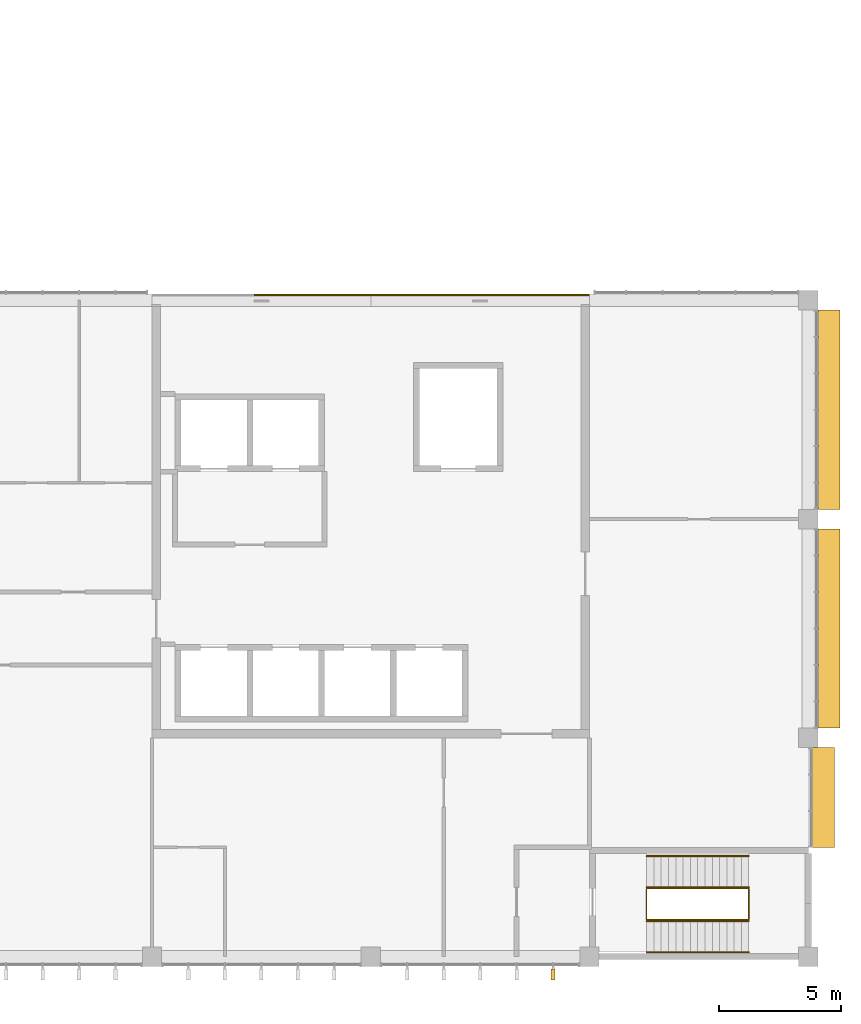
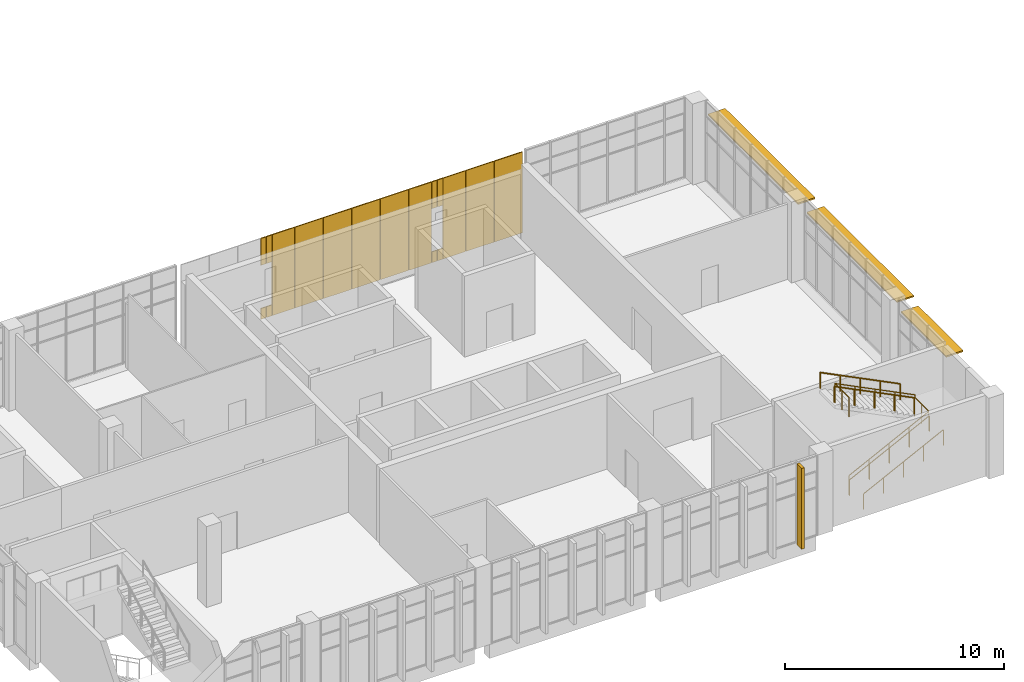
# One storey, part 43 of 43: 17 coverings, 5 railings, 4 shading devices.
"""IFC4 building model written with IfcOpenShell, lengths in metres."""

import ifcopenshell
import ifcopenshell.guid

model = None  # the IFC model being written
_history = None  # IfcOwnerHistory: only IFC2X3 demands one
_inside = {}  # id of a spatial element -> (the spatial element, [elements in it])
_under = {}  # id of a project, library or spatial element -> (it, [spatial elements below it])
_declared = {}  # id of a project -> (the project, [libraries it declares])
_typed = {}  # id of a type object -> (the type object, [elements of that type])
_made_of = {}  # id of a material, layer set ... -> (it, [elements and type objects made of it])


def new_model(schema):
    """Start an empty IFC model of exactly this schema.

    Asked for "IFC4X3", IfcOpenShell would pick the latest addendum, in which some entities
    have other attributes; the version numbers below select the first issue.
    IFC2X3 requires an IfcOwnerHistory on every rooted entity: one is made here for all.
    """
    global model, _history
    if schema == "IFC4X3":
        model = ifcopenshell.file(schema_version=(4, 3, 0, 0))
    else:
        model = ifcopenshell.file(schema=schema)
    _inside.clear()
    _under.clear()
    _declared.clear()
    _typed.clear()
    _made_of.clear()
    _history = None
    if model.schema == "IFC2X3":
        org = make("IfcOrganization", Name="unknown")
        user = make(
            "IfcPersonAndOrganization",
            ThePerson=make("IfcPerson", FamilyName="unknown"),
            TheOrganization=org,
        )
        app = make(
            "IfcApplication",
            ApplicationDeveloper=org,
            Version="unknown",
            ApplicationFullName="unknown",
            ApplicationIdentifier="unknown",
        )
        _history = make(
            "IfcOwnerHistory",
            OwningUser=user,
            OwningApplication=app,
            ChangeAction="ADDED",
            CreationDate=0,
        )
    return model


def make(cls, **values):
    """One entity of the class cls with the attributes given. An attribute that is None is left unset."""
    return model.create_entity(
        cls, **{name: value for name, value in values.items() if value is not None}
    )


def rooted(cls, **values):
    """An entity with a GlobalId (a new one), such as an element, a storey or a relation."""
    return make(cls, GlobalId=ifcopenshell.guid.new(), OwnerHistory=_history, **values)


def si_unit(unit_type, name, prefix=None):
    """IfcSIUnit, for example si_unit("LENGTHUNIT", "METRE", prefix="MILLI")."""
    return make("IfcSIUnit", UnitType=unit_type, Prefix=prefix, Name=name)


def assignment(units):
    """IfcUnitAssignment: the units of a project."""
    return None if units is None else make("IfcUnitAssignment", Units=units)


def point(xyz):
    """IfcCartesianPoint."""
    return None if xyz is None else make("IfcCartesianPoint", Coordinates=xyz)


def direction(xyz):
    """IfcDirection."""
    return None if xyz is None else make("IfcDirection", DirectionRatios=xyz)


def frame(location, z_axis=None, x_axis=None):
    """IfcAxis2Placement3D, a coordinate frame: its origin and axes. An axis left out is left unset."""
    return make(
        "IfcAxis2Placement3D",
        Location=point(location),
        Axis=direction(z_axis),
        RefDirection=direction(x_axis),
    )


def frame_2d(location, x_axis=None):
    """IfcAxis2Placement2D, a coordinate frame in the plane: its origin and x axis."""
    return make(
        "IfcAxis2Placement2D", Location=point(location), RefDirection=direction(x_axis)
    )


def origin():
    """The frame at (0, 0, 0) with its axes left unset."""
    return frame((0.0, 0.0, 0.0))


def origin_2d():
    """The frame at (0, 0) in the plane with its x axis left unset."""
    return frame_2d((0.0, 0.0))


def place(relative_to, where):
    """IfcLocalPlacement: puts the frame where relative to a parent placement (None: the world)."""
    return make(
        "IfcLocalPlacement", PlacementRelTo=relative_to, RelativePlacement=where
    )


def context(
    kind, dimensions, precision=None, world=None, true_north=None, identifier=None
):
    """IfcGeometricRepresentationContext, for example the 3D "Model" context."""
    return make(
        "IfcGeometricRepresentationContext",
        ContextIdentifier=identifier,
        ContextType=kind,
        CoordinateSpaceDimension=dimensions,
        Precision=precision,
        WorldCoordinateSystem=world,
        TrueNorth=true_north,
    )


def subcontext(parent, identifier, kind, view, scale=None):
    """IfcGeometricRepresentationSubContext, for example "Body" below "Model"."""
    return make(
        "IfcGeometricRepresentationSubContext",
        ContextIdentifier=identifier,
        ContextType=kind,
        ParentContext=parent,
        TargetScale=scale,
        TargetView=view,
    )


def project(units=None, contexts=None):
    """IfcProject with its units and contexts."""
    return rooted(
        "IfcProject",
        Name="project",
        RepresentationContexts=contexts,
        UnitsInContext=assignment(units),
    )


def spatial(cls, under=None, at=None, **own):
    """A site, building, storey or space (cls), placed at a placement, below another one or the project."""
    s = rooted(cls, ObjectPlacement=at, **own)
    if under is not None:
        _under.setdefault(under.id(), (under, []))[1].append(s)
    return s


def profile(cls, at=None, kind="AREA", **sizes):
    """A parametric profile (cls). Its sizes go by their IFC names, for example OverallWidth=200.0."""
    return make(cls, ProfileType=kind, Position=at, **sizes)


def rectangle(**sizes):
    """IfcRectangleProfileDef."""
    return profile("IfcRectangleProfileDef", **sizes)


def circle(**sizes):
    """IfcCircleProfileDef."""
    return profile("IfcCircleProfileDef", **sizes)


def extrude(swept, where, along, depth):
    """IfcExtrudedAreaSolid: the profile swept, set in the frame where, extruded along a direction by depth."""
    return make(
        "IfcExtrudedAreaSolid",
        SweptArea=swept,
        Position=where,
        ExtrudedDirection=direction(along),
        Depth=depth,
    )


def shape(context_of_items, identifier, shape_type, items):
    """IfcShapeRepresentation: the items that make up one representation, for example the "Body"."""
    return make(
        "IfcShapeRepresentation",
        ContextOfItems=context_of_items,
        RepresentationIdentifier=identifier,
        RepresentationType=shape_type,
        Items=items,
    )


def material(Name=None, Category=None):
    """IfcMaterial."""
    return make("IfcMaterial", Name=Name, Category=Category)


def layer(
    of_material, thickness, ventilated=None, Name=None, Category=None, Priority=None
):
    """IfcMaterialLayer: one layer of a wall or slab, of a material (None: an air gap)."""
    return make(
        "IfcMaterialLayer",
        Material=of_material,
        LayerThickness=thickness,
        IsVentilated=ventilated,
        Name=Name,
        Category=Category,
        Priority=Priority,
    )


def layer_set(layers, Name=None):
    """IfcMaterialLayerSet."""
    return make("IfcMaterialLayerSet", MaterialLayers=layers, LayerSetName=Name)


def made_of(thing, what):
    """Note that an element or type object is made of a material, layer set ...; save() writes the relation."""
    if what is not None:
        _made_of.setdefault(what.id(), (what, []))[1].append(thing)
    return thing


def type_object(cls, material=None, **own):
    """A type object (cls), such as IfcWallType, which elements share."""
    return made_of(rooted(cls, **own), material)


def element(
    cls,
    number,
    at=None,
    inside=None,
    cuts=None,
    type_object=None,
    material=None,
    context=None,
    identifier="Body",
    shape_type=None,
    held_by="IfcProductDefinitionShape",
    body=None,
    shapes=None,
    **own,
):
    """One element of the class cls, such as IfcWall. Its Tag is "e" and its number.

    at: its placement. inside: the storey or other place that contains it. cuts: it is an
    opening in that element (IfcRelVoidsElement). A single representation is given by context,
    identifier, shape_type and body (its items); several are given by shapes. held_by: the class
    of the entity that holds the representations. save() writes the other relations.
    """
    e = rooted(cls, Tag="e%d" % number, ObjectPlacement=at, **own)
    if body is not None:
        shapes = [shape(context, identifier, shape_type, body)]
    if shapes is not None:
        e.Representation = make(held_by, Representations=shapes)
    if inside is not None:
        _inside.setdefault(inside.id(), (inside, []))[1].append(e)
    if cuts is not None:
        rooted(
            "IfcRelVoidsElement", RelatingBuildingElement=cuts, RelatedOpeningElement=e
        )
    if type_object is not None:
        _typed.setdefault(type_object.id(), (type_object, []))[1].append(e)
    return made_of(e, material)


def aggregate(whole, parts):
    """IfcRelAggregates: a whole, such as a stair, and the parts it consists of."""
    return rooted("IfcRelAggregates", RelatingObject=whole, RelatedObjects=parts)


def save(model, path):
    """Write the relations noted so far, then the file.

    IfcRelAggregates (storeys below a building ...), IfcRelContainedInSpatialStructure (elements
    in a storey), IfcRelDefinesByType, IfcRelAssociatesMaterial and IfcRelDeclares: one each for
    every whole, place, type object, material and project.
    """
    for whole, parts in _under.values():
        aggregate(whole, parts)
    for where, things in _inside.values():
        rooted(
            "IfcRelContainedInSpatialStructure",
            RelatedElements=things,
            RelatingStructure=where,
        )
    for kind, things in _typed.values():
        rooted("IfcRelDefinesByType", RelatedObjects=things, RelatingType=kind)
    for what, things in _made_of.values():
        rooted("IfcRelAssociatesMaterial", RelatedObjects=things, RelatingMaterial=what)
    for by, libraries in _declared.values():
        rooted("IfcRelDeclares", RelatingContext=by, RelatedDefinitions=libraries)
    model.write(path)


model = new_model("IFC4")

# Units and contexts
model_context = context("Model", 3, precision=1e-05, world=origin(), true_north=direction((0.0, 1.0)))
body_context = subcontext(model_context, "Body", "Model", "MODEL_VIEW")
ifc_project = project(units=[si_unit("LENGTHUNIT", "METRE"), si_unit("AREAUNIT", "SQUARE_METRE"), si_unit("VOLUMEUNIT", "CUBIC_METRE"), si_unit("PLANEANGLEUNIT", "RADIAN"), si_unit("MASSUNIT", "GRAM", prefix="KILO")], contexts=[model_context])

# Site, building, storey
site_placement = place(None, origin())
site = spatial("IfcSite", under=ifc_project, at=site_placement, CompositionType="ELEMENT")
building_placement = place(site_placement, origin())
building = spatial("IfcBuilding", under=site, at=building_placement, Name="Guidao Yard Department Store", CompositionType="ELEMENT")
storey_placement = place(building_placement, frame((0.0, 0.0, 28.5)))
storey = spatial("IfcBuildingStorey", under=building, at=storey_placement, Name="L06", CompositionType="ELEMENT", Elevation=28.5)

# Coverings
ifc_material_1 = material(Name="Anodised aluminium 6063-T5 cladding", Category="aluminium")
ifc_layer_1 = layer(ifc_material_1, 0.050048828125)
ifc_layer_set_1 = layer_set([ifc_layer_1], Name="Facade cladding CP1 anodised aluminium panel 6063")
covering_type = type_object("IfcCoveringType", Name="Facade cladding CP1 anodised aluminium panel 6063", PredefinedType="CLADDING", material=ifc_layer_set_1)
covering_1_placement = place(storey_placement, frame((148.35009765625, 27.22509765625, 0.0), z_axis=(0.0, 0.0, 1.0), x_axis=(1.0, 0.0, 0.0)))
element("IfcCovering", 1, at=covering_1_placement, inside=storey, type_object=covering_type, Name="Core face cladding", PredefinedType="CLADDING", context=body_context, shape_type="SweptSolid", body=[
    extrude(rectangle(XDim=0.280029296875, YDim=0.050048828125, at=origin_2d()), origin(), (0.0, 0.0, 1.0), 0.60009765625),
])
covering_2_placement = place(storey_placement, frame((148.35009765625, 27.22509765625, 3.0), z_axis=(0.0, 0.0, 1.0), x_axis=(1.0, 0.0, 0.0)))
element("IfcCovering", 2, at=covering_2_placement, inside=storey, type_object=covering_type, Name="Core face cladding", PredefinedType="CLADDING", context=body_context, shape_type="SweptSolid", body=[
    extrude(rectangle(XDim=0.280029296875, YDim=0.050048828125, at=origin_2d()), origin(), (0.0, 0.0, 1.0), 1.5),
])
covering_3_placement = place(storey_placement, frame((148.64990234375, 27.22509765625, 0.0), z_axis=(0.0, 0.0, 1.0), x_axis=(1.0, 0.0, 0.0)))
element("IfcCovering", 3, at=covering_3_placement, inside=storey, type_object=covering_type, Name="Core face cladding", PredefinedType="CLADDING", context=body_context, shape_type="SweptSolid", body=[
    extrude(rectangle(XDim=0.280029296875, YDim=0.050048828125, at=origin_2d()), origin(), (0.0, 0.0, 1.0), 0.60009765625),
])
covering_4_placement = place(storey_placement, frame((148.64990234375, 27.22509765625, 3.0), z_axis=(0.0, 0.0, 1.0), x_axis=(1.0, 0.0, 0.0)))
element("IfcCovering", 4, at=covering_4_placement, inside=storey, type_object=covering_type, Name="Core face cladding", PredefinedType="CLADDING", context=body_context, shape_type="SweptSolid", body=[
    extrude(rectangle(XDim=0.280029296875, YDim=0.050048828125, at=origin_2d()), origin(), (0.0, 0.0, 1.0), 1.5),
])
covering_5_placement = place(storey_placement, frame((149.39990234375, 27.22509765625, 0.0), z_axis=(0.0, 0.0, 1.0), x_axis=(1.0, 0.0, 0.0)))
element("IfcCovering", 5, at=covering_5_placement, inside=storey, type_object=covering_type, Name="Core face cladding", PredefinedType="CLADDING", context=body_context, shape_type="SweptSolid", body=[
    extrude(rectangle(XDim=1.179931640625, YDim=0.050048828125, at=origin_2d()), origin(), (0.0, 0.0, 1.0), 4.5),
])
for number, where, z_axis, x_axis, name in (
    (6, (150.75, 27.22509765625, 0.0), (0.0, 0.0, 1.0), (1.0, 0.0, 0.0), "Core face cladding"),
    (7, (152.25, 27.22509765625, 0.0), (0.0, 0.0, 1.0), (1.0, 0.0, 0.0), "Core face cladding"),
    (8, (153.75, 27.22509765625, 0.0), (0.0, 0.0, 1.0), (1.0, 0.0, 0.0), "Core face cladding"),
    (9, (155.25, 27.22509765625, 0.0), (0.0, 0.0, 1.0), (1.0, 0.0, 0.0), "Core face cladding"),
):
    element("IfcCovering", number, at=place(storey_placement, frame(where, z_axis=z_axis, x_axis=x_axis)), inside=storey, type_object=covering_type, Name=name, PredefinedType="CLADDING", context=body_context, shape_type="SweptSolid", body=[
        extrude(rectangle(XDim=1.47998046875, YDim=0.050048828125, at=origin_2d()), origin(), (0.0, 0.0, 1.0), 4.5),
    ])
covering_6_placement = place(storey_placement, frame((156.60009765625, 27.22509765625, 0.0), z_axis=(0.0, 0.0, 1.0), x_axis=(1.0, 0.0, 0.0)))
element("IfcCovering", 10, at=covering_6_placement, inside=storey, type_object=covering_type, Name="Core face cladding", PredefinedType="CLADDING", context=body_context, shape_type="SweptSolid", body=[
    extrude(rectangle(XDim=1.179931640625, YDim=0.050048828125, at=origin_2d()), origin(), (0.0, 0.0, 1.0), 4.5),
])
covering_7_placement = place(storey_placement, frame((157.35009765625, 27.22509765625, 0.0), z_axis=(0.0, 0.0, 1.0), x_axis=(1.0, 0.0, 0.0)))
element("IfcCovering", 11, at=covering_7_placement, inside=storey, type_object=covering_type, Name="Core face cladding", PredefinedType="CLADDING", context=body_context, shape_type="SweptSolid", body=[
    extrude(rectangle(XDim=0.280029296875, YDim=0.050048828125, at=origin_2d()), origin(), (0.0, 0.0, 1.0), 0.60009765625),
])
covering_8_placement = place(storey_placement, frame((157.35009765625, 27.22509765625, 3.0), z_axis=(0.0, 0.0, 1.0), x_axis=(1.0, 0.0, 0.0)))
element("IfcCovering", 12, at=covering_8_placement, inside=storey, type_object=covering_type, Name="Core face cladding", PredefinedType="CLADDING", context=body_context, shape_type="SweptSolid", body=[
    extrude(rectangle(XDim=0.280029296875, YDim=0.050048828125, at=origin_2d()), origin(), (0.0, 0.0, 1.0), 1.5),
])
covering_9_placement = place(storey_placement, frame((157.64990234375, 27.22509765625, 0.0), z_axis=(0.0, 0.0, 1.0), x_axis=(1.0, 0.0, 0.0)))
element("IfcCovering", 13, at=covering_9_placement, inside=storey, type_object=covering_type, Name="Core face cladding", PredefinedType="CLADDING", context=body_context, shape_type="SweptSolid", body=[
    extrude(rectangle(XDim=0.280029296875, YDim=0.050048828125, at=origin_2d()), origin(), (0.0, 0.0, 1.0), 0.60009765625),
])
covering_10_placement = place(storey_placement, frame((157.64990234375, 27.22509765625, 3.0), z_axis=(0.0, 0.0, 1.0), x_axis=(1.0, 0.0, 0.0)))
element("IfcCovering", 14, at=covering_10_placement, inside=storey, type_object=covering_type, Name="Core face cladding", PredefinedType="CLADDING", context=body_context, shape_type="SweptSolid", body=[
    extrude(rectangle(XDim=0.280029296875, YDim=0.050048828125, at=origin_2d()), origin(), (0.0, 0.0, 1.0), 1.5),
])
covering_11_placement = place(storey_placement, frame((158.39990234375, 27.22509765625, 0.0), z_axis=(0.0, 0.0, 1.0), x_axis=(1.0, 0.0, 0.0)))
element("IfcCovering", 15, at=covering_11_placement, inside=storey, type_object=covering_type, Name="Core face cladding", PredefinedType="CLADDING", context=body_context, shape_type="SweptSolid", body=[
    extrude(rectangle(XDim=1.179931640625, YDim=0.050048828125, at=origin_2d()), origin(), (0.0, 0.0, 1.0), 4.5),
])
for number, where, z_axis, x_axis, name in (
    (16, (159.75, 27.22509765625, 0.0), (0.0, 0.0, 1.0), (1.0, 0.0, 0.0), "Core face cladding"),
    (17, (161.25, 27.22509765625, 0.0), (0.0, 0.0, 1.0), (1.0, 0.0, 0.0), "Core face cladding"),
):
    element("IfcCovering", number, at=place(storey_placement, frame(where, z_axis=z_axis, x_axis=x_axis)), inside=storey, type_object=covering_type, Name=name, PredefinedType="CLADDING", context=body_context, shape_type="SweptSolid", body=[
        extrude(rectangle(XDim=1.47998046875, YDim=0.050048828125, at=origin_2d()), origin(), (0.0, 0.0, 1.0), 4.5),
    ])

# Railings
ifc_material_2 = material(Name="Steel Q235", Category="steel")
railing_type_1 = type_object("IfcRailingType", Name="Guard steel balustrade 1100", PredefinedType="GUARDRAIL", material=ifc_material_2)
railing_placement = place(storey_placement, frame((164.35009765625, 1.52490234375, 0.14990234375)))
element("IfcRailing", 18, at=railing_placement, inside=storey, type_object=railing_type_1, Name="Stair O2 guard L06 2", PredefinedType="GUARDRAIL", context=body_context, shape_type="SweptSolid", body=[
    extrude(circle(Radius=0.02392578125, at=origin_2d()), frame((0.0, 0.0, 1.076171875), z_axis=(0.894416792377, 0.0, 0.447234392142), x_axis=(0.0, 1.0, 0.0)), (0.0, 0.0, 1.0), 4.69580078125),
    extrude(circle(Radius=0.02392578125, at=origin_2d()), frame((4.199951171875, 0.0, 3.17626953125), z_axis=(0.0, 1.0, 0.0), x_axis=(-1.0, 0.0, 0.0)), (0.0, 0.0, 1.0), 1.275146484375),
    extrude(circle(Radius=0.02392578125, at=origin_2d()), frame((4.199951171875, 1.275146484375, 3.17626953125), z_axis=(0.0, 0.0, 1.0), x_axis=(1.0, 0.0, 0.0)), (0.0, 0.0, 1.0), 0.14990234375),
    extrude(circle(Radius=0.02392578125, at=origin_2d()), frame((4.199951171875, 1.275146484375, 3.326171875), z_axis=(-0.894416792377, 0.0, 0.447234392142), x_axis=(0.0, -1.0, 0.0)), (0.0, 0.0, 1.0), 4.69580078125),
    extrude(circle(Radius=0.02392578125, at=origin_2d()), frame((0.0, 1.275146484375, 5.42626953125), z_axis=(0.0, -1.0, 0.0), x_axis=(1.0, 0.0, 0.0)), (0.0, 0.0, 1.0), 1.275146484375),
    extrude(circle(Radius=0.02099609375, at=origin_2d()), origin(), (0.0, 0.0, 1.0), 1.052001953125),
    extrude(circle(Radius=0.02099609375, at=origin_2d()), frame((1.050048828125, 0.0, 0.52490234375)), (0.0, 0.0, 1.0), 1.052001953125),
    extrude(circle(Radius=0.02099609375, at=origin_2d()), frame((2.10009765625, 0.0, 1.050048828125)), (0.0, 0.0, 1.0), 1.052001953125),
    extrude(circle(Radius=0.02099609375, at=origin_2d()), frame((3.14990234375, 0.0, 1.5751953125)), (0.0, 0.0, 1.0), 1.052001953125),
    extrude(circle(Radius=0.02099609375, at=origin_2d()), frame((4.199951171875, 0.0, 2.10009765625)), (0.0, 0.0, 1.0), 1.052001953125),
    extrude(circle(Radius=0.02099609375, at=origin_2d()), frame((4.199951171875, 0.6376953125, 2.10009765625)), (0.0, 0.0, 1.0), 1.052001953125),
    extrude(circle(Radius=0.02099609375, at=origin_2d()), frame((4.199951171875, 1.275146484375, 2.10009765625)), (0.0, 0.0, 1.0), 1.052001953125),
    extrude(circle(Radius=0.02099609375, at=origin_2d()), frame((4.199951171875, 1.275146484375, 2.25)), (0.0, 0.0, 1.0), 1.052001953125),
    extrude(circle(Radius=0.02099609375, at=origin_2d()), frame((3.14990234375, 1.275146484375, 2.77490234375)), (0.0, 0.0, 1.0), 1.052001953125),
    extrude(circle(Radius=0.02099609375, at=origin_2d()), frame((2.10009765625, 1.275146484375, 3.300048828125)), (0.0, 0.0, 1.0), 1.052001953125),
    extrude(circle(Radius=0.02099609375, at=origin_2d()), frame((1.050048828125, 1.275146484375, 3.8251953125)), (0.0, 0.0, 1.0), 1.052001953125),
    extrude(circle(Radius=0.02099609375, at=origin_2d()), frame((0.0, 1.275146484375, 4.35009765625)), (0.0, 0.0, 1.0), 1.052001953125),
    extrude(circle(Radius=0.02099609375, at=origin_2d()), frame((0.0, 0.6376953125, 4.35009765625)), (0.0, 0.0, 1.0), 1.052001953125),
    extrude(circle(Radius=0.02099609375, at=origin_2d()), frame((0.0, 0.0, 4.35009765625)), (0.0, 0.0, 1.0), 1.052001953125),
])
ifc_material_3 = material(Name="Steel Q235", Category="steel")
railing_type_2 = type_object("IfcRailingType", Name="Handrail steel tube 48", PredefinedType="HANDRAIL", material=ifc_material_3)
for number, where, name in (
    (19, (164.35009765625, 0.18505859375, 0.14990234375), "Stair O2 hand rail L06 5"),
    (20, (164.35009765625, 1.465087890625, 0.14990234375), "Stair O2 hand rail L06 6"),
):
    element("IfcRailing", number, at=place(storey_placement, frame(where)), inside=storey, type_object=railing_type_2, Name=name, PredefinedType="HANDRAIL", context=body_context, shape_type="SweptSolid", body=[
        extrude(circle(Radius=0.02392578125, at=origin_2d()), frame((0.0, 0.0, 0.8759765625), z_axis=(0.894416792377, 0.0, 0.447234392142), x_axis=(0.0, 1.0, 0.0)), (0.0, 0.0, 1.0), 4.69580078125),
        extrude(circle(Radius=0.02099609375, at=origin_2d()), origin(), (0.0, 0.0, 1.0), 0.851806640625),
        extrude(circle(Radius=0.02099609375, at=origin_2d()), frame((1.050048828125, 0.0, 0.52490234375)), (0.0, 0.0, 1.0), 0.851806640625),
        extrude(circle(Radius=0.02099609375, at=origin_2d()), frame((2.10009765625, 0.0, 1.050048828125)), (0.0, 0.0, 1.0), 0.851806640625),
        extrude(circle(Radius=0.02099609375, at=origin_2d()), frame((3.14990234375, 0.0, 1.5751953125)), (0.0, 0.0, 1.0), 0.851806640625),
        extrude(circle(Radius=0.02099609375, at=origin_2d()), frame((4.199951171875, 0.0, 2.10009765625)), (0.0, 0.0, 1.0), 0.851806640625),
    ])
for number, where, name in (
    (21, (168.550048828125, 2.860107421875, 2.39990234375), "Stair O2 hand rail L06 7"),
    (22, (168.550048828125, 4.139892578125, 2.39990234375), "Stair O2 hand rail L06 8"),
):
    element("IfcRailing", number, at=place(storey_placement, frame(where)), inside=storey, type_object=railing_type_2, Name=name, PredefinedType="HANDRAIL", context=body_context, shape_type="SweptSolid", body=[
        extrude(circle(Radius=0.02392578125, at=origin_2d()), frame((0.0, 0.0, 0.8759765625), z_axis=(-0.894416792377, 0.0, 0.447234392142), x_axis=(0.0, -1.0, 0.0)), (0.0, 0.0, 1.0), 4.69580078125),
        extrude(circle(Radius=0.02099609375, at=origin_2d()), origin(), (0.0, 0.0, 1.0), 0.851806640625),
        extrude(circle(Radius=0.02099609375, at=origin_2d()), frame((-1.050048828125, 0.0, 0.52490234375)), (0.0, 0.0, 1.0), 0.851806640625),
        extrude(circle(Radius=0.02099609375, at=origin_2d()), frame((-2.10009765625, 0.0, 1.050048828125)), (0.0, 0.0, 1.0), 0.851806640625),
        extrude(circle(Radius=0.02099609375, at=origin_2d()), frame((-3.14990234375, 0.0, 1.5751953125)), (0.0, 0.0, 1.0), 0.851806640625),
        extrude(circle(Radius=0.02099609375, at=origin_2d()), frame((-4.199951171875, 0.0, 2.10009765625)), (0.0, 0.0, 1.0), 0.851806640625),
    ])

# Shading devices
ifc_material_4 = material(Name="Aluminium 6063-T5", Category="aluminium")
ifc_layer_2 = layer(ifc_material_4, 0.080078125)
ifc_layer_set_2 = layer_set([ifc_layer_2], Name="Sunshade blade SB1 aluminium")
shading_device_type_1 = type_object("IfcShadingDeviceType", Name="Sunshade blade SB1 aluminium", PredefinedType="SHUTTER", material=ifc_layer_set_2)
shading_device_1_placement = place(storey_placement, frame((171.6298828125, 6.550048828125, 3.599853515625), z_axis=(0.0, 0.0, 1.0), x_axis=(0.0, -1.0, 0.0)))
element("IfcShadingDevice", 23, at=shading_device_1_placement, inside=storey, type_object=shading_device_type_1, Name="Sunshade blade", PredefinedType="SHUTTER", context=body_context, shape_type="SweptSolid", body=[
    extrude(rectangle(XDim=4.10009765625, YDim=0.89990234375, at=origin_2d()), origin(), (0.0, 0.0, 1.0), 0.080078125),
])
for number, where, z_axis, x_axis, name in (
    (24, (171.860107421875, 13.5, 3.599853515625), (0.0, 0.0, 1.0), (0.0, -1.0, 0.0), "Sunshade blade"),
    (25, (171.860107421875, 22.5, 3.599853515625), (0.0, 0.0, 1.0), (0.0, -1.0, 0.0), "Sunshade blade"),
):
    element("IfcShadingDevice", number, at=place(storey_placement, frame(where, z_axis=z_axis, x_axis=x_axis)), inside=storey, type_object=shading_device_type_1, Name=name, PredefinedType="SHUTTER", context=body_context, shape_type="SweptSolid", body=[
        extrude(rectangle(XDim=8.199951171875, YDim=0.89990234375, at=origin_2d()), origin(), (0.0, 0.0, 1.0), 0.080078125),
    ])
ifc_material_5 = material(Name="Aluminium 6063-T5", Category="aluminium")
shading_device_type_2 = type_object("IfcShadingDeviceType", Name="Vertical fin FN2 aluminium 150 x 450", PredefinedType="SHUTTER", material=ifc_material_5)
shading_device_2_placement = place(storey_placement, frame((160.5, -0.735107421875, 0.0), z_axis=(0.0, 0.0, 1.0), x_axis=(-1.0, 0.0, 0.0)))
element("IfcShadingDevice", 26, at=shading_device_2_placement, inside=storey, type_object=shading_device_type_2, Name="Vertical fin", PredefinedType="SHUTTER", context=body_context, shape_type="SweptSolid", body=[
    extrude(rectangle(XDim=0.14990234375, YDim=0.449951171875, at=origin_2d()), origin(), (0.0, 0.0, 1.0), 4.5),
])

save(model, "model.ifc")
